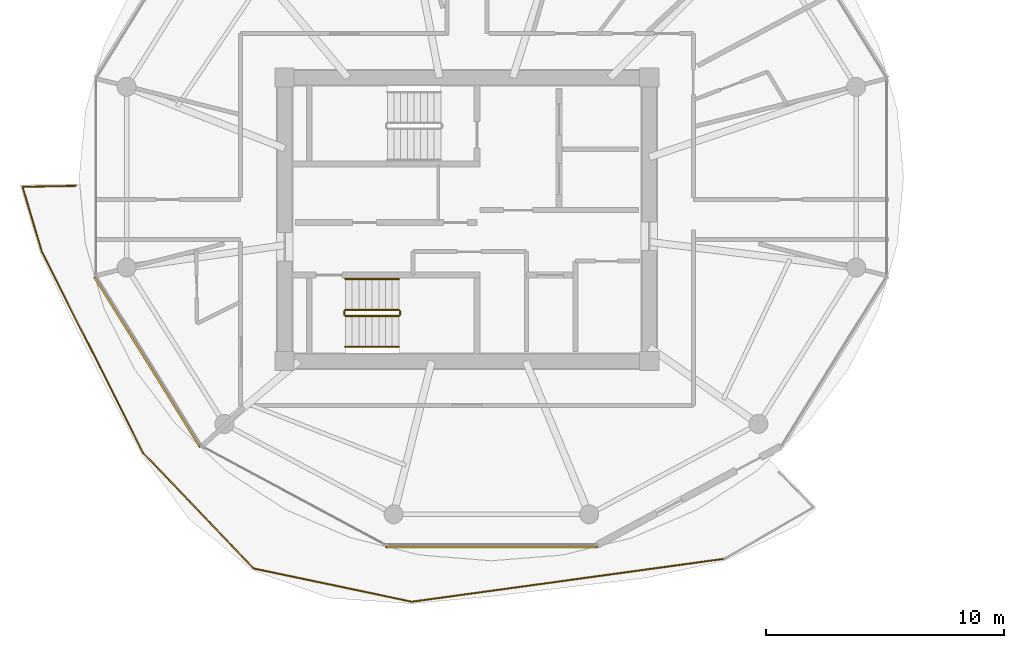
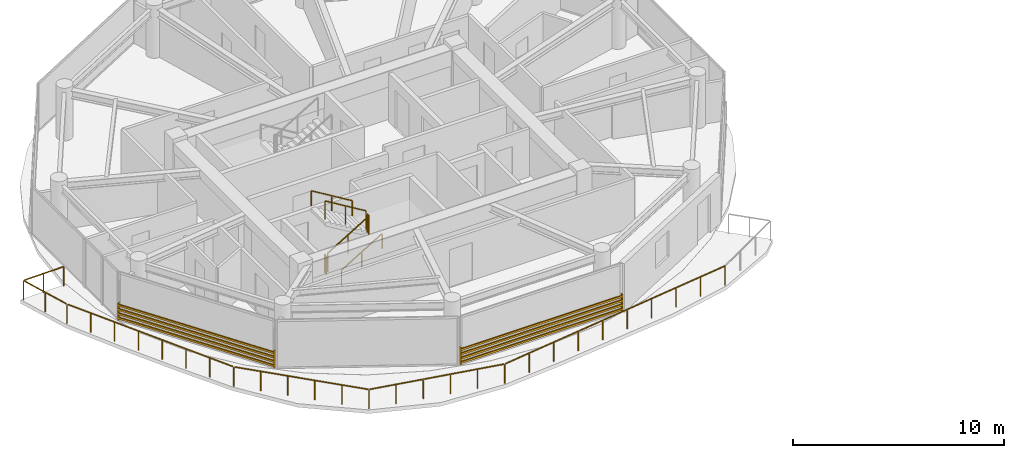
# One storey, part 18 of 23: 7 railings, 2 shading devices.
"""IFC4 building model written with IfcOpenShell, lengths in metres."""

from ifc_helpers import new_model, si_unit, direction, frame, origin, origin_2d, place, context, subcontext, project, spatial, rectangle, extrude, source, transform, mapped, material, type_object, type_shapes, element, save


model = new_model("IFC4")

# Units and contexts
model_context = context("Model", 3, precision=1e-05, world=origin(), true_north=direction((0.0, 1.0)))
body_context = subcontext(model_context, "Body", "Model", "MODEL_VIEW")
ifc_project = project(units=[si_unit("LENGTHUNIT", "METRE"), si_unit("AREAUNIT", "SQUARE_METRE"), si_unit("VOLUMEUNIT", "CUBIC_METRE"), si_unit("PLANEANGLEUNIT", "RADIAN"), si_unit("MASSUNIT", "GRAM", prefix="KILO")], contexts=[model_context])

# Site, building, storey
site_placement = place(None, origin())
site = spatial("IfcSite", under=ifc_project, at=site_placement, CompositionType="ELEMENT")
building_placement = place(site_placement, origin())
building = spatial("IfcBuilding", under=site, at=building_placement, Name="Norrkilde Senior Care Towers", CompositionType="ELEMENT")
storey_placement = place(building_placement, frame((0.0, 0.0, 173.949951171875)))
storey = spatial("IfcBuildingStorey", under=building, at=storey_placement, Name="L54", CompositionType="ELEMENT", Elevation=173.949951171875)

# Railings
ifc_material_1 = material(Name="Anodised Aluminium", Category="aluminium")
railing_type_1 = type_object("IfcRailingType", Name="Balcony Swirl Ribbon Guardrail 1150", PredefinedType="GUARDRAIL", material=ifc_material_1)
railing_1_placement = place(storey_placement, frame((-17.196533203125, -14.2412109375, 0.0)))
element("IfcRailing", 1, at=railing_1_placement, inside=storey, type_object=railing_type_1, Name="L54 Perimeter Safety Guard 03", PredefinedType="GUARDRAIL", context=body_context, shape_type="SweptSolid", body=[
    extrude(rectangle(XDim=0.048095703125, YDim=0.048095703125, at=origin_2d()), frame((0.0, 0.0, 1.1259765625), z_axis=(-0.990695160262, -0.136099593804, 0.0), x_axis=(0.136099593804, -0.990695160262, 0.0)), (0.0, 0.0, 1.0), 13.201171875),
    extrude(rectangle(XDim=0.048095703125, YDim=0.048095703125, at=origin_2d()), frame((-13.158935546875, -1.7939453125, 1.1259765625), z_axis=(-0.978615777282, 0.205696768217, 0.0), x_axis=(-0.205696768217, -0.978615777282, 0.0)), (0.0, 0.0, 1.0), 6.70361328125),
    extrude(rectangle(XDim=0.048095703125, YDim=0.048095703125, at=origin_2d()), frame((-19.78759765625, -0.376953125, 1.1259765625), z_axis=(-0.690963299072, 0.722889839004, 0.0), x_axis=(-0.722889839004, -0.690963299072, 0.0)), (0.0, 0.0, 1.0), 6.609375),
    extrude(rectangle(XDim=0.048095703125, YDim=0.048095703125, at=origin_2d()), frame((-24.40087890625, 4.467041015625, 1.1259765625), z_axis=(-0.449964467783, 0.893046458888, 0.0), x_axis=(-0.893046458888, -0.449964467783, 0.0)), (0.0, 0.0, 1.0), 9.389404296875),
    extrude(rectangle(XDim=0.048095703125, YDim=0.048095703125, at=origin_2d()), frame((-28.656005859375, 12.927734375, 1.1259765625), z_axis=(-0.285375796035, 0.958415700538, 0.0), x_axis=(-0.958415700538, -0.285375796035, 0.0)), (0.0, 0.0, 1.0), 2.758544921875),
    extrude(rectangle(XDim=0.048095703125, YDim=0.048095703125, at=origin_2d()), frame((-29.4140625, 15.611572265625, 1.1259765625), z_axis=(0.999863410345, 0.016527572519, 0.0), x_axis=(-0.016527572519, 0.999863410345, 0.0)), (0.0, 0.0, 1.0), 2.189697265625),
    extrude(rectangle(XDim=0.0419921875, YDim=0.0419921875, at=origin_2d()), origin(), (0.0, 0.0, 1.0), 1.099853515625),
    extrude(rectangle(XDim=0.0419921875, YDim=0.0419921875, at=origin_2d()), frame((-1.457763671875, -0.2001953125, 0.0)), (0.0, 0.0, 1.0), 1.099853515625),
    extrude(rectangle(XDim=0.0419921875, YDim=0.0419921875, at=origin_2d()), frame((-2.915283203125, -0.400390625, 0.0)), (0.0, 0.0, 1.0), 1.099853515625),
    extrude(rectangle(XDim=0.0419921875, YDim=0.0419921875, at=origin_2d()), frame((-4.373046875, -0.600830078125, 0.0)), (0.0, 0.0, 1.0), 1.099853515625),
    extrude(rectangle(XDim=0.0419921875, YDim=0.0419921875, at=origin_2d()), frame((-5.83056640625, -0.801025390625, 0.0)), (0.0, 0.0, 1.0), 1.099853515625),
    extrude(rectangle(XDim=0.0419921875, YDim=0.0419921875, at=origin_2d()), frame((-7.288330078125, -1.001220703125, 0.0)), (0.0, 0.0, 1.0), 1.099853515625),
    extrude(rectangle(XDim=0.0419921875, YDim=0.0419921875, at=origin_2d()), frame((-8.745849609375, -1.201416015625, 0.0)), (0.0, 0.0, 1.0), 1.099853515625),
    extrude(rectangle(XDim=0.0419921875, YDim=0.0419921875, at=origin_2d()), frame((-10.20361328125, -1.40185546875, 0.0)), (0.0, 0.0, 1.0), 1.099853515625),
    extrude(rectangle(XDim=0.0419921875, YDim=0.0419921875, at=origin_2d()), frame((-11.6611328125, -1.60205078125, 0.0)), (0.0, 0.0, 1.0), 1.099853515625),
    extrude(rectangle(XDim=0.0419921875, YDim=0.0419921875, at=origin_2d()), frame((-13.118896484375, -1.80224609375, 0.0)), (0.0, 0.0, 1.0), 1.099853515625),
    extrude(rectangle(XDim=0.0419921875, YDim=0.0419921875, at=origin_2d()), frame((-14.447021484375, -1.523193359375, 0.0)), (0.0, 0.0, 1.0), 1.099853515625),
    extrude(rectangle(XDim=0.0419921875, YDim=0.0419921875, at=origin_2d()), frame((-15.775146484375, -1.243896484375, 0.0)), (0.0, 0.0, 1.0), 1.099853515625),
    extrude(rectangle(XDim=0.0419921875, YDim=0.0419921875, at=origin_2d()), frame((-17.10302734375, -0.96484375, 0.0)), (0.0, 0.0, 1.0), 1.099853515625),
    extrude(rectangle(XDim=0.0419921875, YDim=0.0419921875, at=origin_2d()), frame((-18.43115234375, -0.685546875, 0.0)), (0.0, 0.0, 1.0), 1.099853515625),
    extrude(rectangle(XDim=0.0419921875, YDim=0.0419921875, at=origin_2d()), frame((-19.75927734375, -0.406494140625, 0.0)), (0.0, 0.0, 1.0), 1.099853515625),
    extrude(rectangle(XDim=0.0419921875, YDim=0.0419921875, at=origin_2d()), frame((-20.683837890625, 0.560791015625, 0.0)), (0.0, 0.0, 1.0), 1.099853515625),
    extrude(rectangle(XDim=0.0419921875, YDim=0.0419921875, at=origin_2d()), frame((-21.608642578125, 1.5283203125, 0.0)), (0.0, 0.0, 1.0), 1.099853515625),
    extrude(rectangle(XDim=0.0419921875, YDim=0.0419921875, at=origin_2d()), frame((-22.533203125, 2.49560546875, 0.0)), (0.0, 0.0, 1.0), 1.099853515625),
    extrude(rectangle(XDim=0.0419921875, YDim=0.0419921875, at=origin_2d()), frame((-23.4580078125, 3.463134765625, 0.0)), (0.0, 0.0, 1.0), 1.099853515625),
    extrude(rectangle(XDim=0.0419921875, YDim=0.0419921875, at=origin_2d()), frame((-24.382568359375, 4.430419921875, 0.0)), (0.0, 0.0, 1.0), 1.099853515625),
    extrude(rectangle(XDim=0.0419921875, YDim=0.0419921875, at=origin_2d()), frame((-24.991455078125, 5.638671875, 0.0)), (0.0, 0.0, 1.0), 1.099853515625),
    extrude(rectangle(XDim=0.0419921875, YDim=0.0419921875, at=origin_2d()), frame((-25.60009765625, 6.84716796875, 0.0)), (0.0, 0.0, 1.0), 1.099853515625),
    extrude(rectangle(XDim=0.0419921875, YDim=0.0419921875, at=origin_2d()), frame((-26.208984375, 8.055419921875, 0.0)), (0.0, 0.0, 1.0), 1.099853515625),
    extrude(rectangle(XDim=0.0419921875, YDim=0.0419921875, at=origin_2d()), frame((-26.81787109375, 9.263671875, 0.0)), (0.0, 0.0, 1.0), 1.099853515625),
    extrude(rectangle(XDim=0.0419921875, YDim=0.0419921875, at=origin_2d()), frame((-27.4267578125, 10.471923828125, 0.0)), (0.0, 0.0, 1.0), 1.099853515625),
    extrude(rectangle(XDim=0.0419921875, YDim=0.0419921875, at=origin_2d()), frame((-28.035400390625, 11.680419921875, 0.0)), (0.0, 0.0, 1.0), 1.099853515625),
    extrude(rectangle(XDim=0.0419921875, YDim=0.0419921875, at=origin_2d()), frame((-28.644287109375, 12.888671875, 0.0)), (0.0, 0.0, 1.0), 1.099853515625),
    extrude(rectangle(XDim=0.0419921875, YDim=0.0419921875, at=origin_2d()), frame((-29.049560546875, 14.249755859375, 0.0)), (0.0, 0.0, 1.0), 1.099853515625),
    extrude(rectangle(XDim=0.0419921875, YDim=0.0419921875, at=origin_2d()), frame((-29.454833984375, 15.61083984375, 0.0)), (0.0, 0.0, 1.0), 1.099853515625),
    extrude(rectangle(XDim=0.0419921875, YDim=0.0419921875, at=origin_2d()), frame((-28.33984375, 15.62939453125, 0.0)), (0.0, 0.0, 1.0), 1.099853515625),
    extrude(rectangle(XDim=0.0419921875, YDim=0.0419921875, at=origin_2d()), frame((-27.224609375, 15.647705078125, 0.0)), (0.0, 0.0, 1.0), 1.099853515625),
])
ifc_material_2 = material(Name="Stainless Steel", Category="steel")
railing_type_2 = type_object("IfcRailingType", Name="Stair and Terrace Guardrail 1100", PredefinedType="GUARDRAIL", material=ifc_material_2)
railing_2_placement = place(storey_placement, frame((-33.10009765625, -4.050048828125, 0.16943359375)))
element("IfcRailing", 2, at=railing_2_placement, inside=storey, type_object=railing_type_2, Name="L54 ST-W2 stair guard 1", PredefinedType="GUARDRAIL", context=body_context, shape_type="SweptSolid", body=[
    extrude(rectangle(XDim=0.048095703125, YDim=0.048095703125, at=origin_2d()), frame((0.0, 0.0, 1.076171875), z_axis=(0.855512035549, 0.0, 0.517782924622), x_axis=(0.0, 1.0, 0.0)), (0.0, 0.0, 1.0), 2.618408203125),
    extrude(rectangle(XDim=0.0419921875, YDim=0.0419921875, at=origin_2d()), origin(), (0.0, 0.0, 1.0), 1.050048828125),
    extrude(rectangle(XDim=0.0419921875, YDim=0.0419921875, at=origin_2d()), frame((1.1201171875, 0.0, 0.677734375)), (0.0, 0.0, 1.0), 1.050048828125),
    extrude(rectangle(XDim=0.0419921875, YDim=0.0419921875, at=origin_2d()), frame((2.239990234375, 0.0, 1.355712890625)), (0.0, 0.0, 1.0), 1.050048828125),
])
railing_3_placement = place(storey_placement, frame((-30.81005859375, -4.0, 1.525146484375)))
element("IfcRailing", 3, at=railing_3_placement, inside=storey, type_object=railing_type_2, Name="L54 ST-W2 stair guard 2", PredefinedType="GUARDRAIL", context=body_context, shape_type="SweptSolid", body=[
    extrude(rectangle(XDim=0.048095703125, YDim=0.048095703125, at=origin_2d()), frame((0.0, 0.0, 1.076171875), z_axis=(0.0, 1.0, 0.0), x_axis=(-1.0, 0.0, 0.0)), (0.0, 0.0, 1.0), 0.14990234375),
    extrude(rectangle(XDim=0.0419921875, YDim=0.0419921875, at=origin_2d()), origin(), (0.0, 0.0, 1.0), 1.050048828125),
    extrude(rectangle(XDim=0.0419921875, YDim=0.0419921875, at=origin_2d()), frame((0.0, 0.14990234375, 0.0)), (0.0, 0.0, 1.0), 1.050048828125),
])
railing_4_placement = place(storey_placement, frame((-30.860107421875, -3.800048828125, 1.694580078125)))
element("IfcRailing", 4, at=railing_4_placement, inside=storey, type_object=railing_type_2, Name="L54 ST-W2 stair guard 3", PredefinedType="GUARDRAIL", context=body_context, shape_type="SweptSolid", body=[
    extrude(rectangle(XDim=0.048095703125, YDim=0.048095703125, at=origin_2d()), frame((0.0, 0.0, 1.076171875), z_axis=(-0.855553338991, 0.0, 0.51771467445), x_axis=(0.0, -1.0, 0.0)), (0.0, 0.0, 1.0), 2.6181640625),
    extrude(rectangle(XDim=0.0419921875, YDim=0.0419921875, at=origin_2d()), origin(), (0.0, 0.0, 1.0), 1.050048828125),
    extrude(rectangle(XDim=0.0419921875, YDim=0.0419921875, at=origin_2d()), frame((-1.1201171875, 0.0, 0.677734375)), (0.0, 0.0, 1.0), 1.050048828125),
    extrude(rectangle(XDim=0.0419921875, YDim=0.0419921875, at=origin_2d()), frame((-2.239990234375, 0.0, 1.35546875)), (0.0, 0.0, 1.0), 1.050048828125),
])
railing_5_placement = place(storey_placement, frame((-33.14990234375, -4.0, 0.0)))
element("IfcRailing", 5, at=railing_5_placement, inside=storey, type_object=railing_type_2, Name="L54 ST-W2 stair guard 4", PredefinedType="GUARDRAIL", context=body_context, shape_type="SweptSolid", body=[
    extrude(rectangle(XDim=0.048095703125, YDim=0.048095703125, at=origin_2d()), frame((0.0, 0.0, 1.076171875), z_axis=(0.0, 1.0, 0.0), x_axis=(-1.0, 0.0, 0.0)), (0.0, 0.0, 1.0), 0.14990234375),
    extrude(rectangle(XDim=0.0419921875, YDim=0.0419921875, at=origin_2d()), origin(), (0.0, 0.0, 1.0), 1.050048828125),
    extrude(rectangle(XDim=0.0419921875, YDim=0.0419921875, at=origin_2d()), frame((0.0, 0.14990234375, 0.0)), (0.0, 0.0, 1.0), 1.050048828125),
])
ifc_material_3 = material(Name="Nordic Ash Timber", Category="wood")
railing_type_3 = type_object("IfcRailingType", Name="Wall and Stair Handrail 900", PredefinedType="HANDRAIL", material=ifc_material_3)
railing_6_placement = place(storey_placement, frame((-33.10009765625, -5.35009765625, 0.16943359375)))
element("IfcRailing", 6, at=railing_6_placement, inside=storey, type_object=railing_type_3, Name="L54 ST-W2 stair handrail 1", PredefinedType="HANDRAIL", context=body_context, shape_type="SweptSolid", body=[
    extrude(rectangle(XDim=0.048095703125, YDim=0.048095703125, at=origin_2d()), frame((0.0, 0.0, 0.8759765625), z_axis=(0.855512035549, 0.0, 0.517782924622), x_axis=(0.0, 1.0, 0.0)), (0.0, 0.0, 1.0), 2.618408203125),
    extrude(rectangle(XDim=0.0419921875, YDim=0.0419921875, at=origin_2d()), origin(), (0.0, 0.0, 1.0), 0.849853515625),
    extrude(rectangle(XDim=0.0419921875, YDim=0.0419921875, at=origin_2d()), frame((1.1201171875, 0.0, 0.677734375)), (0.0, 0.0, 1.0), 0.849853515625),
    extrude(rectangle(XDim=0.0419921875, YDim=0.0419921875, at=origin_2d()), frame((2.239990234375, 0.0, 1.355712890625)), (0.0, 0.0, 1.0), 0.849853515625),
])
railing_7_placement = place(storey_placement, frame((-30.860107421875, -2.5, 1.694580078125)))
element("IfcRailing", 7, at=railing_7_placement, inside=storey, type_object=railing_type_3, Name="L54 ST-W2 stair handrail 2", PredefinedType="HANDRAIL", context=body_context, shape_type="SweptSolid", body=[
    extrude(rectangle(XDim=0.048095703125, YDim=0.048095703125, at=origin_2d()), frame((0.0, 0.0, 0.8759765625), z_axis=(-0.855553338991, 0.0, 0.51771467445), x_axis=(0.0, -1.0, 0.0)), (0.0, 0.0, 1.0), 2.6181640625),
    extrude(rectangle(XDim=0.0419921875, YDim=0.0419921875, at=origin_2d()), origin(), (0.0, 0.0, 1.0), 0.849853515625),
    extrude(rectangle(XDim=0.0419921875, YDim=0.0419921875, at=origin_2d()), frame((-1.1201171875, 0.0, 0.677734375)), (0.0, 0.0, 1.0), 0.849853515625),
    extrude(rectangle(XDim=0.0419921875, YDim=0.0419921875, at=origin_2d()), frame((-2.239990234375, 0.0, 1.35546875)), (0.0, 0.0, 1.0), 0.849853515625),
])

# Shading devices
ifc_material_4 = material(Name="Architectural Terracotta", Category="masonry")
shading_device_type = type_object("IfcShadingDeviceType", Name="Horizontal Terracotta Baguette Rack", PredefinedType="USERDEFINED", material=ifc_material_4)
shared_shape_1 = source(origin(), body_context, "Body", "SweptSolid", [
    extrude(rectangle(XDim=0.070068359375, YDim=0.110107421875, at=origin_2d()), frame((0.0, 0.090087890625, 0.125), z_axis=(1.0, 0.0, 0.0), x_axis=(0.0, 1.0, 0.0)), (0.0, 0.0, 1.0), 8.89306640625),
    extrude(rectangle(XDim=0.070068359375, YDim=0.110107421875, at=origin_2d()), frame((0.0, 0.090087890625, 0.375), z_axis=(1.0, 0.0, 0.0), x_axis=(0.0, 1.0, 0.0)), (0.0, 0.0, 1.0), 8.89306640625),
    extrude(rectangle(XDim=0.070068359375, YDim=0.110107421875, at=origin_2d()), frame((0.0, 0.090087890625, 0.625), z_axis=(1.0, 0.0, 0.0), x_axis=(0.0, 1.0, 0.0)), (0.0, 0.0, 1.0), 8.89306640625),
    extrude(rectangle(XDim=0.070068359375, YDim=0.110107421875, at=origin_2d()), frame((0.0, 0.090087890625, 0.875), z_axis=(1.0, 0.0, 0.0), x_axis=(0.0, 1.0, 0.0)), (0.0, 0.0, 1.0), 8.89306640625),
    extrude(rectangle(XDim=0.050048828125, YDim=0.1552734375, at=origin_2d()), frame((0.02490234375, 0.047607421875, 0.0)), (0.0, 0.0, 1.0), 1.0),
    extrude(rectangle(XDim=0.050048828125, YDim=0.1552734375, at=origin_2d()), frame((8.8681640625, 0.047607421875, 0.0)), (0.0, 0.0, 1.0), 1.0),
])
shading_device_1_placement = place(storey_placement, frame((-22.528564453125, -13.66015625, 0.080078125), z_axis=(0.0, 0.0, 1.0), x_axis=(-1.0, 0.0, 0.0)))
element("IfcShadingDevice", 8, at=shading_device_1_placement, inside=storey, type_object=shading_device_type, Name="L54 Drum W Terracotta Baguette Screen 08", ObjectType="BAGUETTE", PredefinedType="USERDEFINED", context=body_context, shape_type="MappedRepresentation", body=[
    mapped(shared_shape_1, transform((0.0, 0.0, 0.0), x_axis=(1.0, 0.0, 0.0), y_axis=(0.0, 1.0, 0.0), z_axis=(0.0, 0.0, 1.0), scale=1.0)),
])
shared_shape_2 = source(origin(), body_context, "Body", "SweptSolid", [
    extrude(rectangle(XDim=0.070068359375, YDim=0.110107421875, at=origin_2d()), frame((0.0, 0.090087890625, 0.125), z_axis=(1.0, 0.0, 0.0), x_axis=(0.0, 1.0, 0.0)), (0.0, 0.0, 1.0), 8.431396484375),
    extrude(rectangle(XDim=0.070068359375, YDim=0.110107421875, at=origin_2d()), frame((0.0, 0.090087890625, 0.375), z_axis=(1.0, 0.0, 0.0), x_axis=(0.0, 1.0, 0.0)), (0.0, 0.0, 1.0), 8.431396484375),
    extrude(rectangle(XDim=0.070068359375, YDim=0.110107421875, at=origin_2d()), frame((0.0, 0.090087890625, 0.625), z_axis=(1.0, 0.0, 0.0), x_axis=(0.0, 1.0, 0.0)), (0.0, 0.0, 1.0), 8.431396484375),
    extrude(rectangle(XDim=0.070068359375, YDim=0.110107421875, at=origin_2d()), frame((0.0, 0.090087890625, 0.875), z_axis=(1.0, 0.0, 0.0), x_axis=(0.0, 1.0, 0.0)), (0.0, 0.0, 1.0), 8.431396484375),
    extrude(rectangle(XDim=0.050048828125, YDim=0.1552734375, at=origin_2d()), frame((0.02490234375, 0.047607421875, 0.0)), (0.0, 0.0, 1.0), 1.0),
    extrude(rectangle(XDim=0.050048828125, YDim=0.1552734375, at=origin_2d()), frame((8.40625, 0.047607421875, 0.0)), (0.0, 0.0, 1.0), 1.0),
])
type_shapes(shading_device_type, [shared_shape_1, shared_shape_2])
shading_device_2_placement = place(storey_placement, frame((-39.123046875, -9.524169921875, 0.080078125), z_axis=(0.0, 0.0, 1.0), x_axis=(-0.527378022296, 0.849630809324, 0.0)))
element("IfcShadingDevice", 9, at=shading_device_2_placement, inside=storey, type_object=shading_device_type, Name="L54 Drum W Terracotta Baguette Screen 06", ObjectType="BAGUETTE", PredefinedType="USERDEFINED", context=body_context, shape_type="MappedRepresentation", body=[
    mapped(shared_shape_2, transform((0.0, 0.0, 0.0), x_axis=(1.0, 0.0, 0.0), y_axis=(0.0, 1.0, 0.0), z_axis=(0.0, 0.0, 1.0), scale=1.0)),
])

save(model, "model.ifc")
